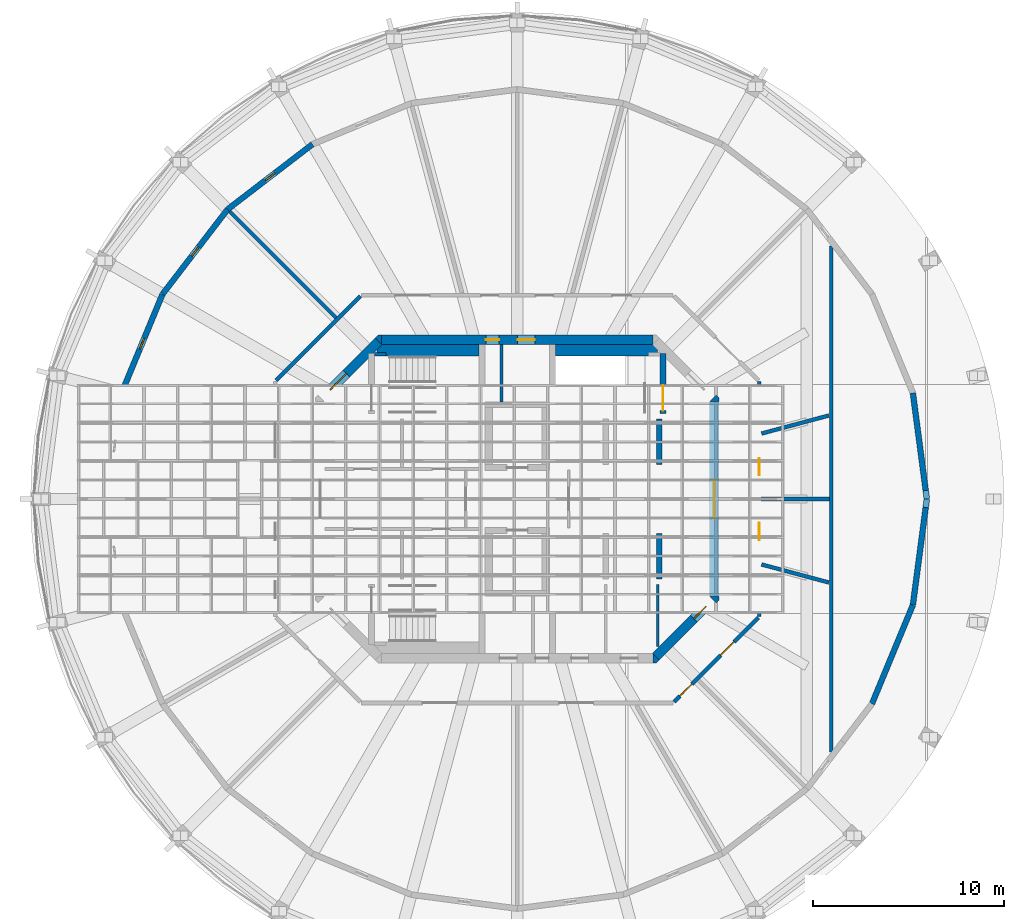
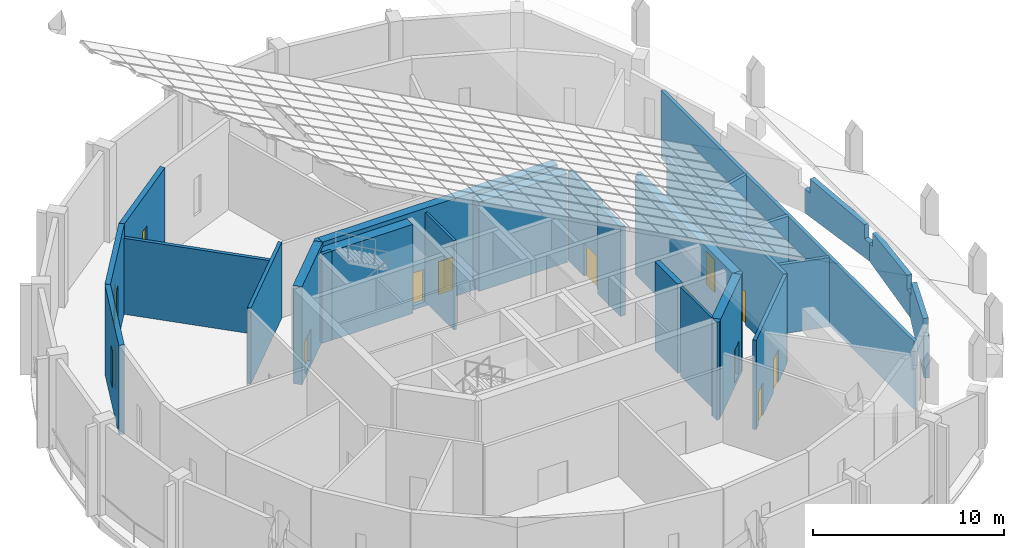
# One storey, part 15 of 19: 30 walls, 10 doors, 3 windows, 13 openings.
"""IFC4 building model written with IfcOpenShell, lengths in metres."""

from ifc_helpers import new_model, si_unit, direction, frame, frame_2d, origin, place, context, subcontext, project, spatial, polyline, rectangle, outline, extrude, material, layer, layer_set, type_object, element, fill, save


model = new_model("IFC4")

# Units and contexts
model_context = context("Model", 3, precision=1e-05, world=origin(), true_north=direction((0.0, 1.0)))
body_context = subcontext(model_context, "Body", "Model", "MODEL_VIEW")
ifc_project = project(units=[si_unit("LENGTHUNIT", "METRE"), si_unit("AREAUNIT", "SQUARE_METRE"), si_unit("VOLUMEUNIT", "CUBIC_METRE"), si_unit("PLANEANGLEUNIT", "RADIAN"), si_unit("MASSUNIT", "GRAM", prefix="KILO")], contexts=[model_context])

# Site, building, storey
site_placement = place(None, origin())
site = spatial("IfcSite", under=ifc_project, at=site_placement, CompositionType="ELEMENT")
building_placement = place(site_placement, origin())
building = spatial("IfcBuilding", under=site, at=building_placement, Name="Torre Triforio", CompositionType="ELEMENT")
storey_placement = place(building_placement, frame((0.0, 0.0, 290.800048828125)))
storey = spatial("IfcBuildingStorey", under=building, at=storey_placement, Name="RF-1", CompositionType="ELEMENT", Elevation=290.800048828125)

# Wall, openings, doors
ifc_material_1 = material(Name="Concrete C40", Category="concrete")
ifc_layer_1 = layer(ifc_material_1, 0.5)
ifc_layer_set_1 = layer_set([ifc_layer_1], Name="Concrete C40")
wall_type_1 = type_object("IfcWallType", Name="Core wall 500 mm C40 EI 120", PredefinedType="SHEAR", material=ifc_layer_set_1)
wall_1_placement = place(storey_placement, frame((-7.1298828125, 8.35009765625, -0.280029296875), z_axis=(0.0, 0.0, 1.0), x_axis=(1.0, 0.0, 0.0)))
wall_1 = element("IfcWall", 1, at=wall_1_placement, inside=storey, type_object=wall_type_1, Name="Core wall", PredefinedType="SHEAR", context=body_context, shape_type="SweptSolid", body=[
    extrude(rectangle(XDim=14.259765625, YDim=0.5, at=frame_2d((7.1298828125, 0.0))), origin(), (0.0, 0.0, 1.0), 6.280029296875),
])
opening_1_placement = place(wall_1_placement, frame((5.47998046875, 0.0, 0.280029296875)))
opening_1 = element("IfcOpeningElement", 2, at=opening_1_placement, cuts=wall_1, Name="Opening RISER-N", PredefinedType="OPENING", context=body_context, shape_type="SweptSolid", body=[
    extrude(rectangle(XDim=0.699951171875, YDim=2.10009765625, at=frame_2d((0.35009765625, 1.050048828125))), frame((0.0, 0.260009765625, 0.0), z_axis=(0.0, -1.0, 0.0), x_axis=(1.0, 0.0, 0.0)), (0.0, 0.0, 1.0), 0.52001953125),
])
opening_2_placement = place(wall_1_placement, frame((7.155029296875, 0.0, 0.280029296875)))
opening_2 = element("IfcOpeningElement", 3, at=opening_2_placement, cuts=wall_1, Name="Opening NE-01B", PredefinedType="OPENING", context=body_context, shape_type="SweptSolid", body=[
    extrude(rectangle(XDim=0.89990234375, YDim=2.10009765625, at=frame_2d((0.449951171875, 1.050048828125))), frame((0.0, 0.260009765625, 0.0), z_axis=(0.0, -1.0, 0.0), x_axis=(1.0, 0.0, 0.0)), (0.0, 0.0, 1.0), 0.52001953125),
])
ifc_material_2 = material(Name="Hollow metal fire door leaf")
door_type_1 = type_object("IfcDoorType", Name="Plant room door 900 x 2100 EI 60", OperationType="NOTDEFINED", PredefinedType="DOOR", material=ifc_material_2)
door_1_placement = place(opening_2_placement, origin())
door_1 = element("IfcDoor", 4, at=door_1_placement, inside=storey, type_object=door_type_1, Name="Core door NE-01", OperationType="SINGLE_SWING_RIGHT", OverallHeight=2.10009765625, OverallWidth=0.89990234375, PredefinedType="DOOR", context=body_context, shape_type="SweptSolid", body=[
    extrude(rectangle(XDim=0.89990234375, YDim=2.10009765625, at=frame_2d((0.449951171875, 1.050048828125))), frame((0.0, 0.02490234375, 0.0), z_axis=(0.0, -1.0, 0.0), x_axis=(1.0, 0.0, 0.0)), (0.0, 0.0, 1.0), 0.050048828125),
])
fill(opening_2, door_1)
door_type_2 = type_object("IfcDoorType", Name="Riser door 700 x 2100 EI 60", OperationType="NOTDEFINED", PredefinedType="DOOR", material=ifc_material_2)
door_2_placement = place(opening_1_placement, origin())
door_2 = element("IfcDoor", 5, at=door_2_placement, inside=storey, type_object=door_type_2, Name="Core door RISER-N", OperationType="SINGLE_SWING_LEFT", OverallHeight=2.10009765625, OverallWidth=0.699951171875, PredefinedType="DOOR", context=body_context, shape_type="SweptSolid", body=[
    extrude(rectangle(XDim=0.699951171875, YDim=2.10009765625, at=frame_2d((0.35009765625, 1.050048828125))), frame((0.0, 0.02490234375, 0.0), z_axis=(0.0, -1.0, 0.0), x_axis=(1.0, 0.0, 0.0)), (0.0, 0.0, 1.0), 0.050048828125),
])
fill(opening_1, door_2)

# Wall, opening, door
wall_2_placement = place(storey_placement, frame((10.35009765625, -5.1298828125, -0.280029296875), z_axis=(0.0, 0.0, 1.0), x_axis=(0.0, 1.0, 0.0)))
wall_2 = element("IfcWall", 6, at=wall_2_placement, inside=storey, type_object=wall_type_1, Name="Core wall", PredefinedType="SHEAR", context=body_context, shape_type="SweptSolid", body=[
    extrude(rectangle(XDim=10.259765625, YDim=0.5, at=frame_2d((5.1298828125, 0.0))), origin(), (0.0, 0.0, 1.0), 6.280029296875),
])
opening_3_placement = place(wall_2_placement, frame((4.1298828125, 0.0, 0.280029296875)))
opening_3 = element("IfcOpeningElement", 7, at=opening_3_placement, cuts=wall_2, Name="Opening E-RING", PredefinedType="OPENING", context=body_context, shape_type="SweptSolid", body=[
    extrude(rectangle(XDim=2.0, YDim=2.10009765625, at=frame_2d((1.0, 1.050048828125))), frame((0.0, 0.260009765625, 0.0), z_axis=(0.0, -1.0, 0.0), x_axis=(1.0, 0.0, 0.0)), (0.0, 0.0, 1.0), 0.52001953125),
])
door_type_3 = type_object("IfcDoorType", Name="Lobby door 2000 x 2100 EI 60", OperationType="DOUBLE_DOOR_SINGLE_SWING", PredefinedType="DOOR", material=ifc_material_2)
door_3_placement = place(opening_3_placement, origin())
door_3 = element("IfcDoor", 8, at=door_3_placement, inside=storey, type_object=door_type_3, Name="Core door E-RING", OperationType="DOUBLE_DOOR_SINGLE_SWING", OverallHeight=2.10009765625, OverallWidth=2.0, PredefinedType="DOOR", context=body_context, shape_type="SweptSolid", body=[
    extrude(rectangle(XDim=2.0, YDim=2.10009765625, at=frame_2d((1.0, 1.050048828125))), frame((0.0, 0.02490234375, 0.0), z_axis=(0.0, -1.0, 0.0), x_axis=(1.0, 0.0, 0.0)), (0.0, 0.0, 1.0), 0.050048828125),
])
fill(opening_3, door_3)

wall_3_placement = place(storey_placement, frame((-10.27685546875, 5.27685546875, -0.280029296875), z_axis=(0.0, 0.0, 1.0), x_axis=(0.707106781187, 0.707106781187, 0.0)))
wall_3 = element("IfcWall", 9, at=wall_3_placement, inside=storey, type_object=wall_type_1, Name="Core wall", PredefinedType="SHEAR", context=body_context, shape_type="SweptSolid", body=[
    extrude(rectangle(XDim=4.24267578125, YDim=0.5, at=frame_2d((2.121337890625, 0.0))), origin(), (0.0, 0.0, 1.0), 6.280029296875),
])
opening_4_placement = place(wall_3_placement, frame((0.64990234375, 0.0, 0.280029296875)))
opening_4 = element("IfcOpeningElement", 10, at=opening_4_placement, cuts=wall_3, Name="Opening ST1-EXIT", PredefinedType="OPENING", context=body_context, shape_type="SweptSolid", body=[
    extrude(rectangle(XDim=1.199951171875, YDim=2.10009765625, at=frame_2d((0.60009765625, 1.050048828125))), frame((0.0, 0.260009765625, 0.0), z_axis=(0.0, -1.0, 0.0), x_axis=(1.0, 0.0, 0.0)), (0.0, 0.0, 1.0), 0.52001953125),
])
door_type_4 = type_object("IfcDoorType", Name="Stair lobby door 1200 x 2100 EI 60", OperationType="NOTDEFINED", PredefinedType="DOOR", material=ifc_material_2)
door_4_placement = place(opening_4_placement, origin())
door_4 = element("IfcDoor", 11, at=door_4_placement, inside=storey, type_object=door_type_4, Name="Core door ST1-EXIT", OperationType="SINGLE_SWING_RIGHT", OverallHeight=2.10009765625, OverallWidth=1.199951171875, PredefinedType="DOOR", context=body_context, shape_type="SweptSolid", body=[
    extrude(rectangle(XDim=1.199951171875, YDim=2.10009765625, at=frame_2d((0.60009765625, 1.050048828125))), frame((0.0, 0.02490234375, 0.0), z_axis=(0.0, -1.0, 0.0), x_axis=(1.0, 0.0, 0.0)), (0.0, 0.0, 1.0), 0.050048828125),
])
fill(opening_4, door_4)

wall_4_placement = place(storey_placement, frame((10.27685546875, -5.27685546875, -0.280029296875), z_axis=(0.0, 0.0, 1.0), x_axis=(-0.707106781187, -0.707106781187, 0.0)))
wall_4 = element("IfcWall", 12, at=wall_4_placement, inside=storey, type_object=wall_type_1, Name="Core wall", PredefinedType="SHEAR", context=body_context, shape_type="SweptSolid", body=[
    extrude(rectangle(XDim=4.24267578125, YDim=0.5, at=frame_2d((2.121337890625, 0.0))), origin(), (0.0, 0.0, 1.0), 6.280029296875),
])
opening_5_placement = place(wall_4_placement, frame((0.52001953125, 0.0, 0.280029296875)))
opening_5 = element("IfcOpeningElement", 13, at=opening_5_placement, cuts=wall_4, Name="Opening SE-03A", PredefinedType="OPENING", context=body_context, shape_type="SweptSolid", body=[
    extrude(rectangle(XDim=0.89990234375, YDim=2.10009765625, at=frame_2d((0.449951171875, 1.050048828125))), frame((0.0, 0.260009765625, 0.0), z_axis=(0.0, -1.0, 0.0), x_axis=(1.0, 0.0, 0.0)), (0.0, 0.0, 1.0), 0.52001953125),
])
door_5_placement = place(opening_5_placement, origin())
door_5 = element("IfcDoor", 14, at=door_5_placement, inside=storey, type_object=door_type_1, Name="Core door SE-03", OperationType="SINGLE_SWING_RIGHT", OverallHeight=2.10009765625, OverallWidth=0.89990234375, PredefinedType="DOOR", context=body_context, shape_type="SweptSolid", body=[
    extrude(rectangle(XDim=0.89990234375, YDim=2.10009765625, at=frame_2d((0.449951171875, 1.050048828125))), frame((0.0, 0.02490234375, 0.0), z_axis=(0.0, -1.0, 0.0), x_axis=(1.0, 0.0, 0.0)), (0.0, 0.0, 1.0), 0.050048828125),
])
fill(opening_5, door_5)

# Walls
wall_5_placement = place(storey_placement, frame((0.0, 0.0, -0.280029296875)))
element("IfcWall", 15, at=wall_5_placement, inside=storey, type_object=wall_type_1, Name="Core wall", PredefinedType="SHEAR", context=body_context, shape_type="SweptSolid", body=[
    extrude(outline(polyline([(7.30712890625, -8.60009765625), (7.1298828125, -8.60009765625), (7.1298828125, -8.1298828125), (7.45361328125, -8.45361328125), (7.30712890625, -8.60009765625)])), origin(), (0.0, 0.0, 1.0), 6.280029296875),
])
wall_6_placement = place(storey_placement, frame((0.0, 0.0, -0.280029296875)))
element("IfcWall", 16, at=wall_6_placement, inside=storey, type_object=wall_type_1, Name="Core wall", PredefinedType="SHEAR", context=body_context, shape_type="SweptSolid", body=[
    extrude(outline(polyline([(10.60009765625, -5.30712890625), (10.45361328125, -5.45361328125), (10.1298828125, -5.1298828125), (10.60009765625, -5.1298828125), (10.60009765625, -5.30712890625)])), origin(), (0.0, 0.0, 1.0), 6.280029296875),
])
wall_7_placement = place(storey_placement, frame((0.0, 0.0, -0.280029296875)))
element("IfcWall", 17, at=wall_7_placement, inside=storey, type_object=wall_type_1, Name="Core wall", PredefinedType="SHEAR", context=body_context, shape_type="SweptSolid", body=[
    extrude(outline(polyline([(10.60009765625, 5.30712890625), (10.60009765625, 5.1298828125), (10.1298828125, 5.1298828125), (10.45361328125, 5.45361328125), (10.60009765625, 5.30712890625)])), origin(), (0.0, 0.0, 1.0), 6.280029296875),
])
wall_8_placement = place(storey_placement, frame((0.0, 0.0, -0.280029296875)))
element("IfcWall", 18, at=wall_8_placement, inside=storey, type_object=wall_type_1, Name="Core wall", PredefinedType="SHEAR", context=body_context, shape_type="SweptSolid", body=[
    extrude(outline(polyline([(-7.30712890625, 8.60009765625), (-7.1298828125, 8.60009765625), (-7.1298828125, 8.1298828125), (-7.45361328125, 8.45361328125), (-7.30712890625, 8.60009765625)])), origin(), (0.0, 0.0, 1.0), 6.280029296875),
])
ifc_material_3 = material(Name="Block and board partition")
ifc_layer_2 = layer(ifc_material_3, 0.14990234375)
ifc_layer_set_2 = layer_set([ifc_layer_2], Name="Block and board partition")
wall_type_2 = type_object("IfcWallType", Name="Partition 150 mm", PredefinedType="PARTITIONING", material=ifc_layer_set_2)
wall_9_placement = place(storey_placement, frame((7.373046875, -7.751953125, 0.0), z_axis=(0.0, 0.0, 1.0), x_axis=(0.0, 1.0, 0.0)))
element("IfcWall", 19, at=wall_9_placement, inside=storey, type_object=wall_type_2, Name="Partition", PredefinedType="PARTITIONING", context=body_context, shape_type="SweptSolid", body=[
    extrude(rectangle(XDim=3.251953125, YDim=0.14990234375, at=frame_2d((1.6259765625, 0.0))), origin(), (0.0, 0.0, 1.0), 5.719970703125),
])
ifc_layer_3 = layer(ifc_material_3, 0.14990234375)
ifc_layer_set_3 = layer_set([ifc_layer_3], Name="Block and board partition")
wall_type_3 = type_object("IfcWallType", Name="Partition 150 mm EI 120", PredefinedType="PARTITIONING", material=ifc_layer_set_3)
wall_10_placement = place(storey_placement, frame((-0.824951171875, 5.10009765625, 0.0), z_axis=(0.0, 0.0, 1.0), x_axis=(0.0, 1.0, 0.0)))
element("IfcWall", 20, at=wall_10_placement, inside=storey, type_object=wall_type_3, Name="Partition", PredefinedType="PARTITIONING", context=body_context, shape_type="SweptSolid", body=[
    extrude(rectangle(XDim=3.0, YDim=0.14990234375, at=frame_2d((1.5, 0.0))), origin(), (0.0, 0.0, 1.0), 5.719970703125),
])
ifc_material_4 = material(Name="Masonry block", Category="masonry")
ifc_layer_4 = layer(ifc_material_4, 0.199951171875)
ifc_layer_set_4 = layer_set([ifc_layer_4], Name="Masonry block")
wall_type_4 = type_object("IfcWallType", Name="Plant room wall 200 mm block EI 120", PredefinedType="PARTITIONING", material=ifc_layer_set_4)
wall_11_placement = place(storey_placement, frame((-12.650390625, 6.2265625, 0.0), z_axis=(0.0, 0.0, 1.0), x_axis=(0.707106781187, 0.707106781187, 0.0)))
element("IfcWall", 21, at=wall_11_placement, inside=storey, type_object=wall_type_4, Name="Partition 4", PredefinedType="PARTITIONING", context=body_context, shape_type="SweptSolid", body=[
    extrude(rectangle(XDim=6.25634765625, YDim=0.199951171875, at=frame_2d((3.128173828125, 0.0))), origin(), (0.0, 0.0, 1.0), 4.869873046875),
])

# Wall, openings, doors
wall_12_placement = place(storey_placement, frame((12.699951171875, 6.177001953125, 0.0), z_axis=(0.0, 0.0, 1.0), x_axis=(0.0, -1.0, 0.0)))
wall_12 = element("IfcWall", 22, at=wall_12_placement, inside=storey, type_object=wall_type_4, Name="Partition 7", PredefinedType="PARTITIONING", context=body_context, shape_type="SweptSolid", body=[
    extrude(rectangle(XDim=12.35400390625, YDim=0.199951171875, at=frame_2d((6.177001953125, 0.0))), origin(), (0.0, 0.0, 1.0), 5.719970703125),
])
opening_6_placement = place(wall_12_placement, frame((7.42919921875, 0.0, 0.0)))
opening_6 = element("IfcOpeningElement", 23, at=opening_6_placement, cuts=wall_12, Name="Opening CR1-13", PredefinedType="OPENING", context=body_context, shape_type="SweptSolid", body=[
    extrude(rectangle(XDim=0.89990234375, YDim=2.10009765625, at=frame_2d((0.449951171875, 1.050048828125))), frame((0.0, 0.10986328125, 0.0), z_axis=(0.0, -1.0, 0.0), x_axis=(1.0, 0.0, 0.0)), (0.0, 0.0, 1.0), 0.219970703125),
])
opening_7_placement = place(wall_12_placement, frame((4.024658203125, 0.0, 0.0)))
opening_7 = element("IfcOpeningElement", 24, at=opening_7_placement, cuts=wall_12, Name="Opening CR1-14", PredefinedType="OPENING", context=body_context, shape_type="SweptSolid", body=[
    extrude(rectangle(XDim=0.89990234375, YDim=2.10009765625, at=frame_2d((0.449951171875, 1.050048828125))), frame((0.0, 0.10986328125, 0.0), z_axis=(0.0, -1.0, 0.0), x_axis=(1.0, 0.0, 0.0)), (0.0, 0.0, 1.0), 0.219970703125),
])
door_type_5 = type_object("IfcDoorType", Name="Door 900 x 2100 single leaf EI 60", OperationType="NOTDEFINED", PredefinedType="DOOR", material=ifc_material_2)
door_6_placement = place(opening_6_placement, origin())
door_6 = element("IfcDoor", 25, at=door_6_placement, inside=storey, type_object=door_type_5, Name="Door CR1-13", OperationType="SINGLE_SWING_LEFT", OverallHeight=2.10009765625, OverallWidth=0.89990234375, PredefinedType="DOOR", context=body_context, shape_type="SweptSolid", body=[
    extrude(rectangle(XDim=0.89990234375, YDim=2.10009765625, at=frame_2d((0.449951171875, 1.050048828125))), frame((0.0, 0.02490234375, 0.0), z_axis=(0.0, -1.0, 0.0), x_axis=(1.0, 0.0, 0.0)), (0.0, 0.0, 1.0), 0.050048828125),
])
fill(opening_6, door_6)
door_7_placement = place(opening_7_placement, origin())
door_7 = element("IfcDoor", 26, at=door_7_placement, inside=storey, type_object=door_type_5, Name="Door CR1-14", OperationType="SINGLE_SWING_LEFT", OverallHeight=2.10009765625, OverallWidth=0.89990234375, PredefinedType="DOOR", context=body_context, shape_type="SweptSolid", body=[
    extrude(rectangle(XDim=0.89990234375, YDim=2.10009765625, at=frame_2d((0.449951171875, 1.050048828125))), frame((0.0, 0.02490234375, 0.0), z_axis=(0.0, -1.0, 0.0), x_axis=(1.0, 0.0, 0.0)), (0.0, 0.0, 1.0), 0.050048828125),
])
fill(opening_7, door_7)

wall_13_placement = place(storey_placement, frame((12.650390625, -6.2265625, 0.0), z_axis=(0.0, 0.0, 1.0), x_axis=(-0.707106781187, -0.707106781187, 0.0)))
wall_13 = element("IfcWall", 27, at=wall_13_placement, inside=storey, type_object=wall_type_4, Name="Partition 8", PredefinedType="PARTITIONING", context=body_context, shape_type="SweptSolid", body=[
    extrude(rectangle(XDim=6.25634765625, YDim=0.199951171875, at=frame_2d((3.128173828125, 0.0))), origin(), (0.0, 0.0, 1.0), 5.719970703125),
])
opening_8_placement = place(wall_13_placement, frame((4.924560546875, 0.0, 0.0)))
opening_8 = element("IfcOpeningElement", 28, at=opening_8_placement, cuts=wall_13, Name="Opening CR1-11", PredefinedType="OPENING", context=body_context, shape_type="SweptSolid", body=[
    extrude(rectangle(XDim=0.89990234375, YDim=2.10009765625, at=frame_2d((0.449951171875, 1.050048828125))), frame((0.0, 0.10986328125, 0.0), z_axis=(0.0, -1.0, 0.0), x_axis=(1.0, 0.0, 0.0)), (0.0, 0.0, 1.0), 0.219970703125),
])
opening_9_placement = place(wall_13_placement, frame((1.796142578125, 0.0, 0.0)))
opening_9 = element("IfcOpeningElement", 29, at=opening_9_placement, cuts=wall_13, Name="Opening CR1-12", PredefinedType="OPENING", context=body_context, shape_type="SweptSolid", body=[
    extrude(rectangle(XDim=1.0, YDim=2.10009765625, at=frame_2d((0.5, 1.050048828125))), frame((0.0, 0.10986328125, 0.0), z_axis=(0.0, -1.0, 0.0), x_axis=(1.0, 0.0, 0.0)), (0.0, 0.0, 1.0), 0.219970703125),
])
door_type_6 = type_object("IfcDoorType", Name="Door 1000 x 2100 single leaf EI 60", OperationType="NOTDEFINED", PredefinedType="DOOR", material=ifc_material_2)
door_8_placement = place(opening_9_placement, origin())
door_8 = element("IfcDoor", 30, at=door_8_placement, inside=storey, type_object=door_type_6, Name="Door CR1-12", OperationType="SINGLE_SWING_LEFT", OverallHeight=2.10009765625, OverallWidth=1.0, PredefinedType="DOOR", context=body_context, shape_type="SweptSolid", body=[
    extrude(rectangle(XDim=1.0, YDim=2.10009765625, at=frame_2d((0.5, 1.050048828125))), frame((0.0, 0.02490234375, 0.0), z_axis=(0.0, -1.0, 0.0), x_axis=(1.0, 0.0, 0.0)), (0.0, 0.0, 1.0), 0.050048828125),
])
fill(opening_9, door_8)
door_9_placement = place(opening_8_placement, origin())
door_9 = element("IfcDoor", 31, at=door_9_placement, inside=storey, type_object=door_type_5, Name="Door CR1-11", OperationType="SINGLE_SWING_LEFT", OverallHeight=2.10009765625, OverallWidth=0.89990234375, PredefinedType="DOOR", context=body_context, shape_type="SweptSolid", body=[
    extrude(rectangle(XDim=0.89990234375, YDim=2.10009765625, at=frame_2d((0.449951171875, 1.050048828125))), frame((0.0, 0.02490234375, 0.0), z_axis=(0.0, -1.0, 0.0), x_axis=(1.0, 0.0, 0.0)), (0.0, 0.0, 1.0), 0.050048828125),
])
fill(opening_8, door_9)

# Walls
wall_14_placement = place(storey_placement, frame((12.800048828125, 0.0, 0.0), z_axis=(0.0, 0.0, 1.0), x_axis=(1.0, 0.0, 0.0)))
element("IfcWall", 32, at=wall_14_placement, inside=storey, type_object=wall_type_4, Name="Partition 9", PredefinedType="PARTITIONING", context=body_context, shape_type="SweptSolid", body=[
    extrude(rectangle(XDim=3.584716796875, YDim=0.199951171875, at=frame_2d((1.79248046875, 0.0))), origin(), (0.0, 0.0, 1.0), 4.423095703125),
])
wall_15_placement = place(storey_placement, frame((12.82568359375, 3.4365234375, 0.0), z_axis=(0.0, 0.0, 1.0), x_axis=(0.965926304513, 0.25881726034, 0.0)))
element("IfcWall", 33, at=wall_15_placement, inside=storey, type_object=wall_type_4, Name="Partition 10", PredefinedType="PARTITIONING", context=body_context, shape_type="SweptSolid", body=[
    extrude(rectangle(XDim=3.658203125, YDim=0.199951171875, at=frame_2d((1.8291015625, 0.0))), origin(), (0.0, 0.0, 1.0), 4.436767578125),
])
wall_16_placement = place(storey_placement, frame((-9.50927734375, 9.50927734375, 0.0), z_axis=(0.0, 0.0, 1.0), x_axis=(-0.707106781187, 0.707106781187, 0.0)))
element("IfcWall", 34, at=wall_16_placement, inside=storey, type_object=wall_type_4, Name="Partition 15", PredefinedType="PARTITIONING", context=body_context, shape_type="SweptSolid", body=[
    extrude(rectangle(XDim=7.888671875, YDim=0.199951171875, at=frame_2d((3.9443359375, 0.0))), origin(), (0.0, 0.0, 1.0), 4.869873046875),
])
wall_17_placement = place(storey_placement, frame((12.82568359375, -3.4365234375, 0.0), z_axis=(0.0, 0.0, 1.0), x_axis=(0.965926304513, -0.25881726034, 0.0)))
element("IfcWall", 35, at=wall_17_placement, inside=storey, type_object=wall_type_4, Name="Partition 23", PredefinedType="PARTITIONING", context=body_context, shape_type="SweptSolid", body=[
    extrude(rectangle(XDim=3.658203125, YDim=0.199951171875, at=frame_2d((1.8291015625, 0.0))), origin(), (0.0, 0.0, 1.0), 4.436767578125),
])
wall_18_placement = place(storey_placement, frame((16.48681640625, -13.283203125, 0.0), z_axis=(0.0, 0.0, 1.0), x_axis=(0.0, 1.0, 0.0)))
element("IfcWall", 36, at=wall_18_placement, inside=storey, type_object=wall_type_4, Name="Partition 24", PredefinedType="PARTITIONING", context=body_context, shape_type="SweptSolid", body=[
    extrude(rectangle(XDim=26.56640625, YDim=0.199951171875, at=frame_2d((13.283203125, 0.0))), origin(), (0.0, 0.0, 1.0), 4.368896484375),
])
ifc_layer_5 = layer(ifc_material_1, 0.300048828125)
ifc_layer_set_5 = layer_set([ifc_layer_5], Name="Concrete C40")
wall_type_5 = type_object("IfcWallType", Name="Shaft wall 300 mm C40 EI 120", PredefinedType="SOLIDWALL", material=ifc_layer_set_5)
for number, where, z_axis, x_axis, name in (
    (37, (7.449951171875, 1.800048828125, 0.0), (0.0, 0.0, 1.0), (0.0, 1.0, 0.0), "Shaft wall"),
    (38, (7.449951171875, -4.199951171875, 0.0), (0.0, 0.0, 1.0), (0.0, 1.0, 0.0), "Shaft wall"),
):
    element("IfcWall", number, at=place(storey_placement, frame(where, z_axis=z_axis, x_axis=x_axis)), inside=storey, type_object=wall_type_5, Name=name, PredefinedType="SOLIDWALL", context=body_context, shape_type="SweptSolid", body=[
        extrude(rectangle(XDim=2.39990234375, YDim=0.300048828125, at=frame_2d((1.199951171875, 0.0))), origin(), (0.0, 0.0, 1.0), 5.719970703125),
    ])
ifc_layer_6 = layer(ifc_material_1, 0.199951171875)
ifc_layer_set_6 = layer_set([ifc_layer_6], Name="Concrete C40")
wall_type_6 = type_object("IfcWallType", Name="Stair wall 200 mm C40 EI 120", PredefinedType="SHEAR", material=ifc_layer_set_6)
wall_19_placement = place(storey_placement, frame((-7.5, 7.60009765625, 0.0), z_axis=(0.0, 0.0, 1.0), x_axis=(1.0, 0.0, 0.0)))
element("IfcWall", 39, at=wall_19_placement, inside=storey, type_object=wall_type_6, Name="Stair wall", PredefinedType="SHEAR", context=body_context, shape_type="SweptSolid", body=[
    extrude(rectangle(XDim=0.60009765625, YDim=0.199951171875, at=frame_2d((0.300048828125, 0.0))), origin(), (0.0, 0.0, 1.0), 5.719970703125),
])

# Wall, opening, door
ifc_layer_7 = layer(ifc_material_1, 0.300048828125)
ifc_layer_set_7 = layer_set([ifc_layer_7], Name="Concrete C40")
wall_type_7 = type_object("IfcWallType", Name="Stair wall 300 mm C40 EI 120", PredefinedType="SHEAR", material=ifc_layer_set_7)
wall_20_placement = place(storey_placement, frame((7.64990234375, 4.5, 0.0), z_axis=(0.0, 0.0, 1.0), x_axis=(0.0, 1.0, 0.0)))
wall_20 = element("IfcWall", 40, at=wall_20_placement, inside=storey, type_object=wall_type_7, Name="Stair wall", PredefinedType="SHEAR", context=body_context, shape_type="SweptSolid", body=[
    extrude(rectangle(XDim=3.139892578125, YDim=0.300048828125, at=frame_2d((1.56982421875, 0.0))), origin(), (0.0, 0.0, 1.0), 5.719970703125),
])
opening_10_placement = place(wall_20_placement, frame((0.139892578125, 0.0, 0.0)))
opening_10 = element("IfcOpeningElement", 41, at=opening_10_placement, cuts=wall_20, Name="Opening ST2-STA", PredefinedType="OPENING", context=body_context, shape_type="SweptSolid", body=[
    extrude(rectangle(XDim=1.320068359375, YDim=2.10009765625, at=frame_2d((0.66015625, 1.050048828125))), frame((0.0, 0.159912109375, 0.0), z_axis=(0.0, -1.0, 0.0), x_axis=(1.0, 0.0, 0.0)), (0.0, 0.0, 1.0), 0.320068359375),
])
door_type_7 = type_object("IfcDoorType", Name="Stair door 1320 x 2100 EI 90", OperationType="DOUBLE_DOOR_SINGLE_SWING", PredefinedType="DOOR", material=ifc_material_2)
door_10_placement = place(opening_10_placement, origin())
door_10 = element("IfcDoor", 42, at=door_10_placement, inside=storey, type_object=door_type_7, Name="Core door ST2-ST", OperationType="DOUBLE_DOOR_SINGLE_SWING", OverallHeight=2.10009765625, OverallWidth=1.320068359375, PredefinedType="DOOR", context=body_context, shape_type="SweptSolid", body=[
    extrude(rectangle(XDim=1.320068359375, YDim=2.10009765625, at=frame_2d((0.66015625, 1.050048828125))), frame((0.0, 0.02490234375, 0.0), z_axis=(0.0, -1.0, 0.0), x_axis=(1.0, 0.0, 0.0)), (0.0, 0.0, 1.0), 0.050048828125),
])
fill(opening_10, door_10)

# Walls
ifc_layer_8 = layer(ifc_material_1, 0.60009765625)
ifc_layer_set_8 = layer_set([ifc_layer_8], Name="Concrete C40")
wall_type_8 = type_object("IfcWallType", Name="Stair wall 600 mm C40 EI 120", PredefinedType="SHEAR", material=ifc_layer_set_8)
for number, where, z_axis, x_axis, name in (
    (43, (-7.3701171875, 7.800048828125, 0.0), (0.0, 0.0, 1.0), (1.0, 0.0, 0.0), "Stair wall"),
    (44, (2.0, 7.800048828125, 0.0), (0.0, 0.0, 1.0), (1.0, 0.0, 0.0), "Stair wall"),
):
    element("IfcWall", number, at=place(storey_placement, frame(where, z_axis=z_axis, x_axis=x_axis)), inside=storey, type_object=wall_type_8, Name=name, PredefinedType="SHEAR", context=body_context, shape_type="SweptSolid", body=[
        extrude(rectangle(XDim=5.3701171875, YDim=0.60009765625, at=frame_2d((2.68505859375, 0.0))), origin(), (0.0, 0.0, 1.0), 5.719970703125),
    ])

# Wall, opening, window
ifc_material_5 = material(Name="Limestone cladding", Category="masonry")
ifc_layer_9 = layer(ifc_material_5, 0.10009765625)
ifc_layer_10 = layer(ifc_material_1, 0.199951171875)
ifc_layer_set_9 = layer_set([ifc_layer_9, ifc_layer_10], Name="Limestone cladding / Concrete C40")
wall_type_9 = type_object("IfcWallType", Name="Stone-faced composite wall 300", PredefinedType="STANDARD", material=ifc_layer_set_9)
wall_21_placement = place(storey_placement, frame((-10.75, 18.619384765625, 0.0), z_axis=(0.0, 0.0, 1.0), x_axis=(-0.793380165925, -0.608726467567, 0.0)))
wall_21 = element("IfcWall", 45, at=wall_21_placement, inside=storey, type_object=wall_type_9, Name="Crown wall RF-1 bay 09", PredefinedType="STANDARD", context=body_context, shape_type="SweptSolid", body=[
    extrude(outline(polyline([(0.0, 0.0), (5.612548828125, 0.0), (5.612548828125, 5.719970703125), (0.0, 5.719970703125), (0.0, 0.0)])), frame((0.0, 0.14990234375, 0.0), z_axis=(0.0, -1.0, 0.0), x_axis=(1.0, 0.0, 0.0)), (0.0, 0.0, 1.0), 0.300048828125),
])
opening_11_placement = place(wall_21_placement, frame((2.50634765625, 0.0, 1.199951171875)))
opening_11 = element("IfcOpeningElement", 46, at=opening_11_placement, cuts=wall_21, Name="Opening CR1-W09", PredefinedType="OPENING", context=body_context, shape_type="SweptSolid", body=[
    extrude(rectangle(XDim=0.60009765625, YDim=2.39990234375, at=frame_2d((0.300048828125, 1.199951171875))), frame((0.0, 0.159912109375, 0.0), z_axis=(0.0, -1.0, 0.0), x_axis=(1.0, 0.0, 0.0)), (0.0, 0.0, 1.0), 0.320068359375),
])
ifc_material_6 = material(Name="Aluminium frame with clear double glazing", Category="aluminium")
window_type = type_object("IfcWindowType", Name="Crown lancet slit window 600 x 2400", PartitioningType="SINGLE_PANEL", PredefinedType="WINDOW", material=ifc_material_6)
window_1_placement = place(opening_11_placement, origin())
window_1 = element("IfcWindow", 47, at=window_1_placement, inside=storey, type_object=window_type, Name="Slit window RF-1 bay 09", OverallHeight=2.39990234375, OverallWidth=0.60009765625, PartitioningType="SINGLE_PANEL", PredefinedType="WINDOW", context=body_context, shape_type="SweptSolid", body=[
    extrude(rectangle(XDim=0.60009765625, YDim=2.39990234375, at=frame_2d((0.300048828125, 1.199951171875))), frame((0.0, 0.030029296875, 0.0), z_axis=(0.0, -1.0, 0.0), x_axis=(1.0, 0.0, 0.0)), (0.0, 0.0, 1.0), 0.06005859375),
])
fill(opening_11, window_1)

wall_22_placement = place(storey_placement, frame((-15.202880859375, 15.202880859375, 0.0), z_axis=(0.0, 0.0, 1.0), x_axis=(-0.608726467567, -0.793380165925, 0.0)))
wall_22 = element("IfcWall", 48, at=wall_22_placement, inside=storey, type_object=wall_type_9, Name="Crown wall RF-1 bay 10", PredefinedType="STANDARD", context=body_context, shape_type="SweptSolid", body=[
    extrude(outline(polyline([(0.0, 0.0), (5.612548828125, 0.0), (5.612548828125, 5.719970703125), (0.0, 5.719970703125), (0.0, 0.0)])), frame((0.0, 0.14990234375, 0.0), z_axis=(0.0, -1.0, 0.0), x_axis=(1.0, 0.0, 0.0)), (0.0, 0.0, 1.0), 0.300048828125),
])
opening_12_placement = place(wall_22_placement, frame((2.50634765625, 0.0, 1.199951171875)))
opening_12 = element("IfcOpeningElement", 49, at=opening_12_placement, cuts=wall_22, Name="Opening CR1-W10", PredefinedType="OPENING", context=body_context, shape_type="SweptSolid", body=[
    extrude(rectangle(XDim=0.60009765625, YDim=2.39990234375, at=frame_2d((0.300048828125, 1.199951171875))), frame((0.0, 0.159912109375, 0.0), z_axis=(0.0, -1.0, 0.0), x_axis=(1.0, 0.0, 0.0)), (0.0, 0.0, 1.0), 0.320068359375),
])
window_2_placement = place(opening_12_placement, origin())
window_2 = element("IfcWindow", 50, at=window_2_placement, inside=storey, type_object=window_type, Name="Slit window RF-1 bay 10", OverallHeight=2.39990234375, OverallWidth=0.60009765625, PartitioningType="SINGLE_PANEL", PredefinedType="WINDOW", context=body_context, shape_type="SweptSolid", body=[
    extrude(rectangle(XDim=0.60009765625, YDim=2.39990234375, at=frame_2d((0.300048828125, 1.199951171875))), frame((0.0, 0.030029296875, 0.0), z_axis=(0.0, -1.0, 0.0), x_axis=(1.0, 0.0, 0.0)), (0.0, 0.0, 1.0), 0.06005859375),
])
fill(opening_12, window_2)

wall_23_placement = place(storey_placement, frame((-18.619384765625, 10.75, 0.0), z_axis=(0.0, 0.0, 1.0), x_axis=(-0.382702670405, -0.92387156362, 0.0)))
wall_23 = element("IfcWall", 51, at=wall_23_placement, inside=storey, type_object=wall_type_9, Name="Crown wall RF-1 bay 11", PredefinedType="STANDARD", context=body_context, shape_type="SweptSolid", body=[
    extrude(outline(polyline([(0.0, 0.0), (5.612548828125, 0.0), (5.612548828125, 5.719970703125), (0.0, 5.719970703125), (0.0, 0.0)])), frame((0.0, 0.14990234375, 0.0), z_axis=(0.0, -1.0, 0.0), x_axis=(1.0, 0.0, 0.0)), (0.0, 0.0, 1.0), 0.300048828125),
])
opening_13_placement = place(wall_23_placement, frame((2.50634765625, 0.0, 1.199951171875)))
opening_13 = element("IfcOpeningElement", 52, at=opening_13_placement, cuts=wall_23, Name="Opening CR1-W11", PredefinedType="OPENING", context=body_context, shape_type="SweptSolid", body=[
    extrude(rectangle(XDim=0.60009765625, YDim=2.39990234375, at=frame_2d((0.300048828125, 1.199951171875))), frame((0.0, 0.159912109375, 0.0), z_axis=(0.0, -1.0, 0.0), x_axis=(1.0, 0.0, 0.0)), (0.0, 0.0, 1.0), 0.320068359375),
])
window_3_placement = place(opening_13_placement, origin())
window_3 = element("IfcWindow", 53, at=window_3_placement, inside=storey, type_object=window_type, Name="Slit window RF-1 bay 11", OverallHeight=2.39990234375, OverallWidth=0.60009765625, PartitioningType="SINGLE_PANEL", PredefinedType="WINDOW", context=body_context, shape_type="SweptSolid", body=[
    extrude(rectangle(XDim=0.60009765625, YDim=2.39990234375, at=frame_2d((0.300048828125, 1.199951171875))), frame((0.0, 0.030029296875, 0.0), z_axis=(0.0, -1.0, 0.0), x_axis=(1.0, 0.0, 0.0)), (0.0, 0.0, 1.0), 0.06005859375),
])
fill(opening_13, window_3)

# Walls
wall_24_placement = place(storey_placement, frame((21.5, 0.0, -0.280029296875), z_axis=(0.0, 0.0, 1.0), x_axis=(-0.130536651449, 0.991443484334, 0.0)))
element("IfcWall", 54, at=wall_24_placement, inside=storey, type_object=wall_type_9, Name="Crown wall RF-1 bay 01 east", PredefinedType="STANDARD", context=body_context, shape_type="SweptSolid", body=[
    extrude(outline(polyline([(0.0, 0.0), (5.61279296875, 0.0), (5.612548828125, 1.5546875), (5.16259765625, 1.5234375), (5.16064453125, 2.42626953125), (0.451904296875, 2.099609375), (0.449951171875, 1.1962890625), (0.0, 1.165283203125), (0.0, 0.0)])), frame((0.0, 0.14990234375, 0.0), z_axis=(0.0, -1.0, 0.0), x_axis=(1.0, 0.0, 0.0)), (0.0, 0.0, 1.0), 0.300048828125),
])
wall_25_placement = place(storey_placement, frame((18.619384765625, -10.75, -0.280029296875), z_axis=(0.0, 0.0, 1.0), x_axis=(0.382702670405, 0.92387156362, 0.0)))
element("IfcWall", 55, at=wall_25_placement, inside=storey, type_object=wall_type_9, Name="Crown wall RF-1 bay 23 east", PredefinedType="STANDARD", context=body_context, shape_type="SweptSolid", body=[
    extrude(outline(polyline([(0.0, 0.0), (5.612548828125, 0.0), (5.612548828125, 1.56005859375), (5.16259765625, 1.651611328125), (5.16064453125, 2.55517578125), (0.451904296875, 3.51318359375), (0.449951171875, 2.610595703125), (0.0, 2.7021484375), (0.0, 0.0)])), frame((0.0, 0.14990234375, 0.0), z_axis=(0.0, -1.0, 0.0), x_axis=(1.0, 0.0, 0.0)), (0.0, 0.0, 1.0), 0.300048828125),
])
wall_26_placement = place(storey_placement, frame((20.767333984375, -5.564697265625, -0.280029296875), z_axis=(0.0, 0.0, 1.0), x_axis=(0.130536651449, 0.991443484334, 0.0)))
element("IfcWall", 56, at=wall_26_placement, inside=storey, type_object=wall_type_9, Name="Crown wall RF-1 bay 24 east", PredefinedType="STANDARD", context=body_context, shape_type="SweptSolid", body=[
    extrude(outline(polyline([(0.0, 0.0), (5.61279296875, 0.0), (5.612548828125, 1.165283203125), (5.16259765625, 1.1962890625), (5.16064453125, 2.099609375), (0.451904296875, 2.42626953125), (0.449951171875, 1.5234375), (0.0, 1.5546875), (0.0, 0.0)])), frame((0.0, 0.14990234375, 0.0), z_axis=(0.0, -1.0, 0.0), x_axis=(1.0, 0.0, 0.0)), (0.0, 0.0, 1.0), 0.300048828125),
])

save(model, "model.ifc")
